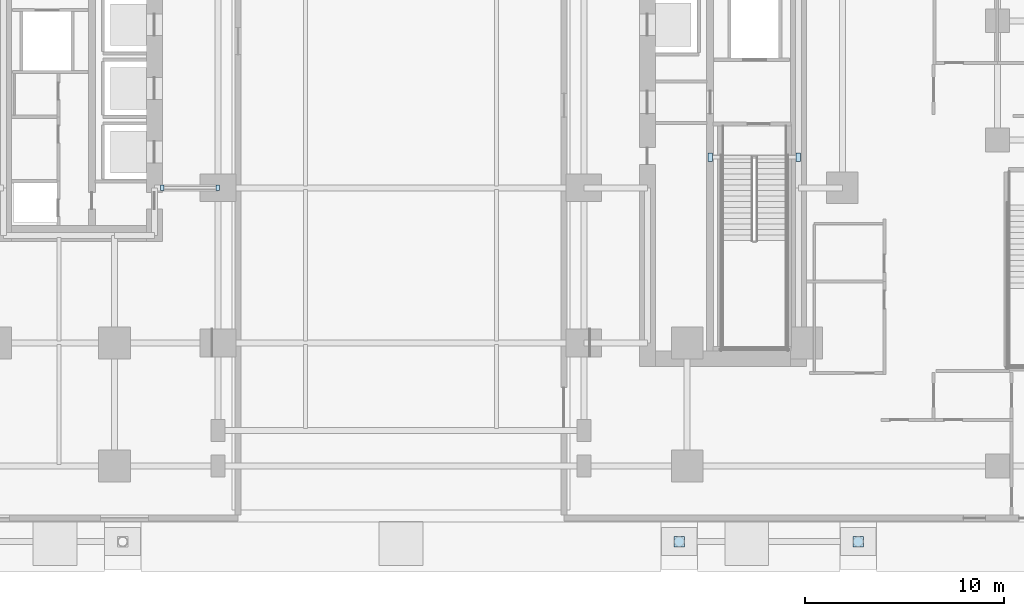
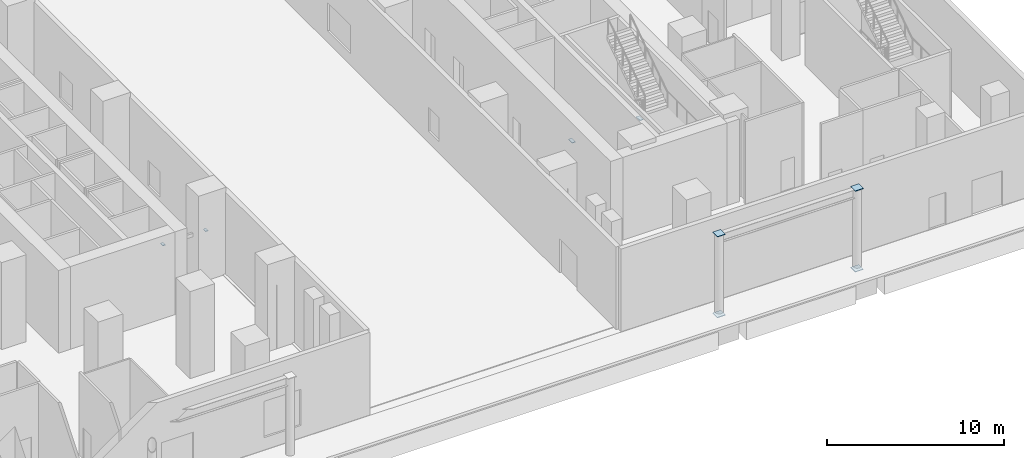
# One storey, part 7 of 22: 8 plates.
"""IFC4 building model written with IfcOpenShell, lengths in metres."""

from ifc_helpers import new_model, si_unit, direction, frame, origin, origin_2d, place, context, subcontext, project, spatial, rectangle, extrude, material, layer, layer_set, type_object, element, save


model = new_model("IFC4")

# Units and contexts
model_context = context("Model", 3, precision=1e-05, world=origin(), true_north=direction((0.0, 1.0)))
body_context = subcontext(model_context, "Body", "Model", "MODEL_VIEW")
ifc_project = project(units=[si_unit("LENGTHUNIT", "METRE"), si_unit("AREAUNIT", "SQUARE_METRE"), si_unit("VOLUMEUNIT", "CUBIC_METRE"), si_unit("PLANEANGLEUNIT", "RADIAN"), si_unit("MASSUNIT", "GRAM", prefix="KILO")], contexts=[model_context])

# Site, building, storey
site_placement = place(None, origin())
site = spatial("IfcSite", under=ifc_project, at=site_placement, CompositionType="ELEMENT")
building_placement = place(site_placement, origin())
building = spatial("IfcBuilding", under=site, at=building_placement, Name="Khairoan Windgate Tower", CompositionType="ELEMENT")
storey_placement = place(building_placement, origin())
storey = spatial("IfcBuildingStorey", under=building, at=storey_placement, Name="L01", CompositionType="ELEMENT", Elevation=0.0)

# Plates
ifc_material = material(Name="Steel S355", Category="steel")
ifc_layer = layer(ifc_material, 0.0400390625, Name="Steel S355")
ifc_layer_set = layer_set([ifc_layer], Name="Steel S355")
plate_type = type_object("IfcPlateType", Name="Hollow Section End-Cap Plate PL-CAP40", PredefinedType="SHEET", material=ifc_layer_set)
for number, where, z_axis, x_axis, name in (
    (1, (14.0, -28.60009765625, -0.205078125), (0.0, 0.0, 1.0), (1.0, 0.0, 0.0), "COL-CAN-S-+14 steel end-cap plate 1"),
    (2, (14.0, -28.60009765625, 5.364990234375), (0.0, 0.0, 1.0), (1.0, 0.0, 0.0), "COL-CAN-S-+14 steel end-cap plate 2"),
    (3, (23.0, -28.60009765625, -0.205078125), (0.0, 0.0, 1.0), (1.0, 0.0, 0.0), "COL-CAN-S-+23 steel end-cap plate 1"),
    (4, (23.0, -28.60009765625, 5.364990234375), (0.0, 0.0, 1.0), (1.0, 0.0, 0.0), "COL-CAN-S-+23 steel end-cap plate 2"),
):
    element("IfcPlate", number, at=place(storey_placement, frame(where, z_axis=z_axis, x_axis=x_axis)), inside=storey, type_object=plate_type, Name=name, PredefinedType="SHEET", context=body_context, shape_type="SweptSolid", body=[
        extrude(rectangle(XDim=0.528076171875, YDim=0.528076171875, at=origin_2d()), origin(), (0.0, 0.0, 1.0), 0.0400390625),
    ])
for number, where, z_axis, x_axis, name in (
    (5, (15.56494140625, -9.260009765625, -0.52001953125), (0.0, 0.0, 1.0), (1.0, 0.0, 0.0), "BM-ST1-TRIM-L01 steel end-cap plate 1"),
    (6, (19.985107421875, -9.260009765625, -0.52001953125), (0.0, 0.0, 1.0), (1.0, 0.0, 0.0), "BM-ST1-TRIM-L01 steel end-cap plate 2"),
):
    element("IfcPlate", number, at=place(storey_placement, frame(where, z_axis=z_axis, x_axis=x_axis)), inside=storey, type_object=plate_type, Name=name, PredefinedType="SHEET", context=body_context, shape_type="SweptSolid", body=[
        extrude(rectangle(XDim=0.219970703125, YDim=0.419921875, at=origin_2d()), origin(), (0.0, 0.0, 1.0), 0.0400390625),
    ])
for number, where, z_axis, x_axis, name in (
    (7, (-12.0048828125, -10.800048828125, 2.929931640625), (0.0, 0.0, 1.0), (1.0, 0.0, 0.0), "BM-LINTEL-L01 steel end-cap plate 1"),
    (8, (-9.215087890625, -10.800048828125, 2.929931640625), (0.0, 0.0, 1.0), (1.0, 0.0, 0.0), "BM-LINTEL-L01 steel end-cap plate 2"),
):
    element("IfcPlate", number, at=place(storey_placement, frame(where, z_axis=z_axis, x_axis=x_axis)), inside=storey, type_object=plate_type, Name=name, PredefinedType="SHEET", context=body_context, shape_type="SweptSolid", body=[
        extrude(rectangle(XDim=0.169921875, YDim=0.27001953125, at=origin_2d()), origin(), (0.0, 0.0, 1.0), 0.0400390625),
    ])

save(model, "model.ifc")
